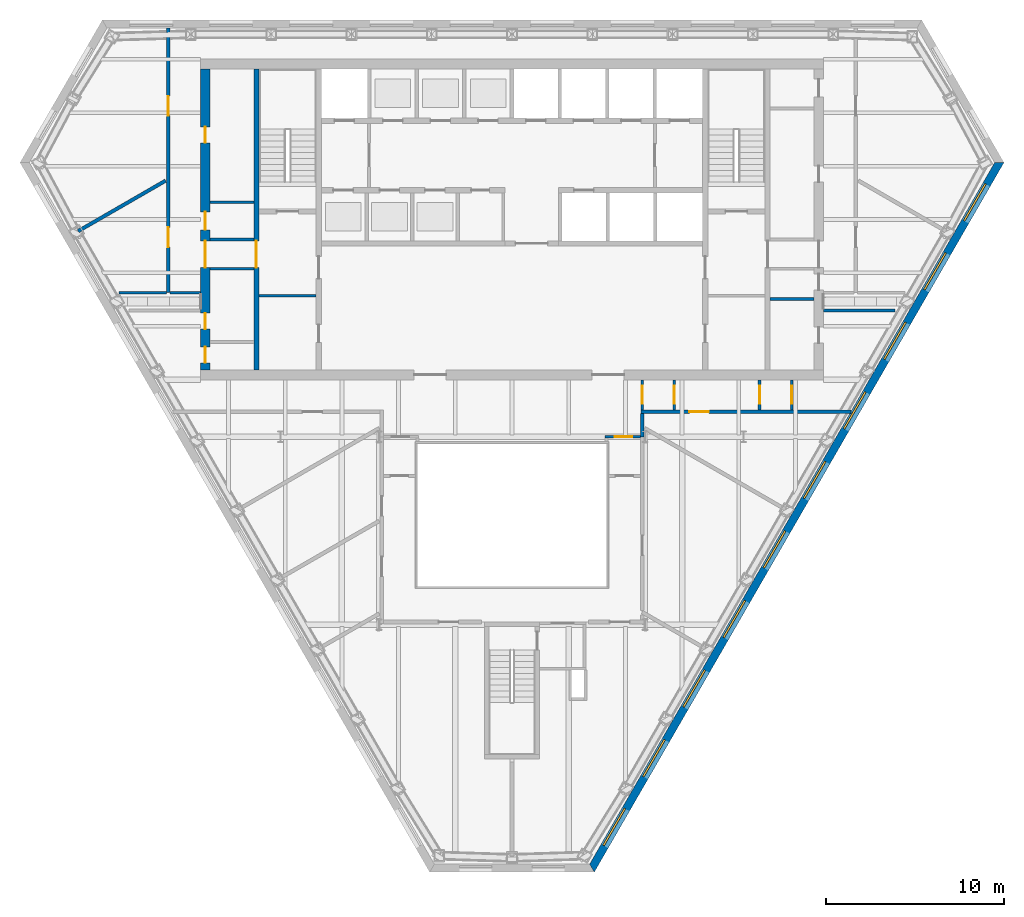
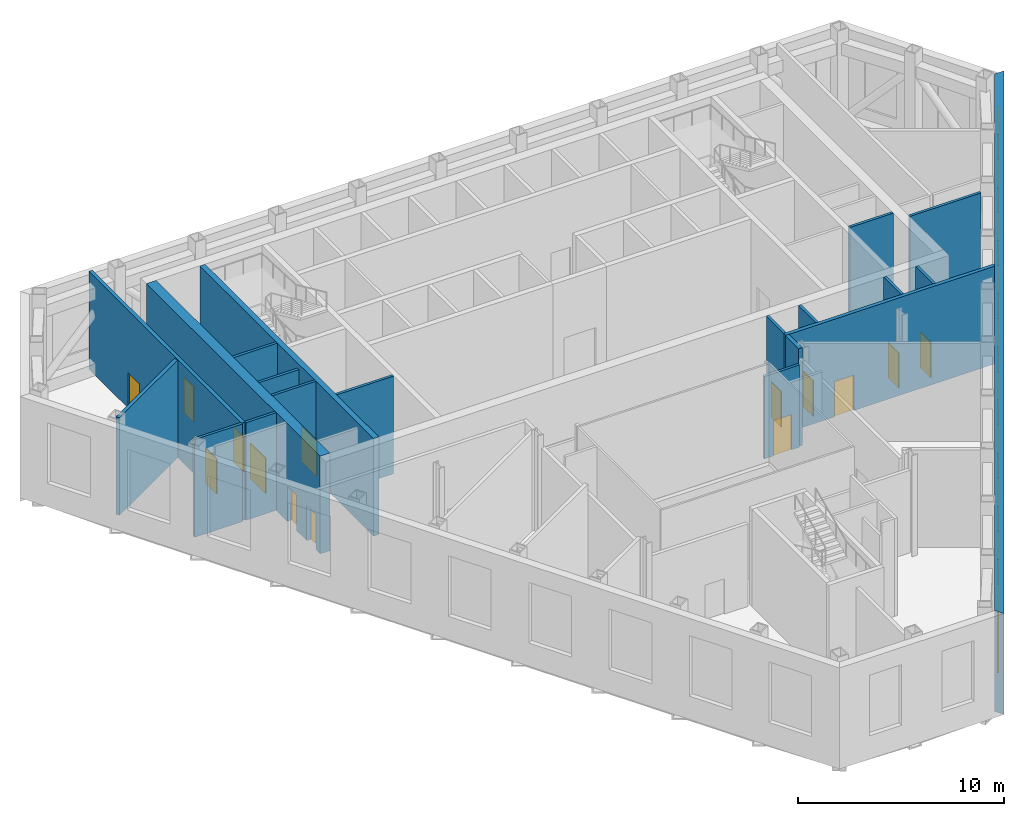
# One storey, part 8 of 15: 20 walls, 14 doors, 10 shading devices, 24 openings.
"""IFC4 building model written with IfcOpenShell, lengths in metres."""

from ifc_helpers import new_model, si_unit, direction, frame, frame_2d, origin, place, context, subcontext, project, spatial, polyline, rectangle, outline, extrude, material, layer, layer_set, type_object, element, fill, save


model = new_model("IFC4")

# Units and contexts
model_context = context("Model", 3, precision=1e-05, world=origin(), true_north=direction((0.0, 1.0)))
body_context = subcontext(model_context, "Body", "Model", "MODEL_VIEW")
ifc_project = project(units=[si_unit("LENGTHUNIT", "METRE"), si_unit("AREAUNIT", "SQUARE_METRE"), si_unit("VOLUMEUNIT", "CUBIC_METRE"), si_unit("PLANEANGLEUNIT", "RADIAN"), si_unit("MASSUNIT", "GRAM", prefix="KILO")], contexts=[model_context])

# Site, building, storey
site_placement = place(None, origin())
site = spatial("IfcSite", under=ifc_project, at=site_placement, CompositionType="ELEMENT")
building_placement = place(site_placement, origin())
building = spatial("IfcBuilding", under=site, at=building_placement, Name="Njiva Tower", CompositionType="ELEMENT")
storey_placement = place(building_placement, frame((0.0, 0.0, 133.8)))
storey = spatial("IfcBuildingStorey", under=building, at=storey_placement, Name="L28", CompositionType="ELEMENT", Elevation=133.8)

# Walls
ifc_material_1 = material(Name="Blockwork", Category="masonry")
ifc_layer_1 = layer(ifc_material_1, 0.15)
ifc_layer_set_1 = layer_set([ifc_layer_1], Name="Blockwork")
wall_type_1 = type_object("IfcWallType", Name="WT1 Compartment partition 150", PredefinedType="PARTITIONING", material=ifc_layer_set_1)
wall_1_placement = place(storey_placement, frame((-14.2, 4.725, 0.0), z_axis=(0.0, 0.0, 1.0), x_axis=(1.0, 0.0, 0.0)))
element("IfcWall", 1, at=wall_1_placement, inside=storey, type_object=wall_type_1, Name="Room wall A", PredefinedType="PARTITIONING", context=body_context, shape_type="SweptSolid", body=[
    extrude(rectangle(XDim=3.2, YDim=0.15, at=frame_2d((1.6, 0.0))), origin(), (0.0, 0.0, 1.0), 5.8),
])
wall_2_placement = place(storey_placement, frame((-16.95, 9.9679, 0.0), z_axis=(0.0, 0.0, 1.0), x_axis=(1.0, 0.0, 0.0)))
element("IfcWall", 2, at=wall_2_placement, inside=storey, type_object=wall_type_1, Name="Partition strip W10", PredefinedType="PARTITIONING", context=body_context, shape_type="SweptSolid", body=[
    extrude(rectangle(XDim=2.45, YDim=0.15, at=frame_2d((1.225, 0.0))), origin(), (0.0, 0.0, 1.0), 5.8),
])

# Wall, opening, door
ifc_material_2 = material(Name="Concrete C40/50", Category="concrete")
ifc_layer_2 = layer(ifc_material_2, 0.3)
ifc_layer_set_2 = layer_set([ifc_layer_2], Name="Concrete C40/50")
wall_type_2 = type_object("IfcWallType", Name="WT10 Stair enclosure wall 300", PredefinedType="SHEAR", material=ifc_layer_set_2)
wall_3_placement = place(storey_placement, frame((-14.35, 0.55, 0.0), z_axis=(0.0, 0.0, 1.0), x_axis=(0.0, 1.0, 0.0)))
wall_3 = element("IfcWall", 3, at=wall_3_placement, inside=storey, type_object=wall_type_2, Name="Stair wall west outer", PredefinedType="SHEAR", context=body_context, shape_type="SweptSolid", body=[
    extrude(rectangle(XDim=16.9, YDim=0.3, at=frame_2d((8.45, 0.0))), origin(), (0.0, 0.0, 1.0), 5.8),
])
opening_1_placement = place(wall_3_placement, frame((5.75, 0.0, 0.0)))
opening_1 = element("IfcOpeningElement", 4, at=opening_1_placement, cuts=wall_3, Name="Opening T2-D922", PredefinedType="OPENING", context=body_context, shape_type="SweptSolid", body=[
    extrude(rectangle(XDim=1.5, YDim=2.1, at=frame_2d((0.75, 1.05))), frame((0.0, 0.16, 0.0), z_axis=(0.0, -1.0, 0.0), x_axis=(1.0, 0.0, 0.0)), (0.0, 0.0, 1.0), 0.32),
])
ifc_material_3 = material(Name="Glazed steel fire door", Category="steel")
door_type_1 = type_object("IfcDoorType", Name="D10 Exit door double 1500x2100 glazed", OperationType="DOUBLE_DOOR_SINGLE_SWING", PredefinedType="DOOR", material=ifc_material_3)
door_1_placement = place(opening_1_placement, origin())
door_1 = element("IfcDoor", 5, at=door_1_placement, inside=storey, type_object=door_type_1, Name="Stair A passage door", OperationType="DOUBLE_DOOR_SINGLE_SWING", OverallHeight=2.1, OverallWidth=1.5, PredefinedType="DOOR", context=body_context, shape_type="SweptSolid", body=[
    extrude(rectangle(XDim=1.5, YDim=2.1, at=frame_2d((0.75, 1.05))), frame((0.0, 0.025, 0.0), z_axis=(0.0, -1.0, 0.0), x_axis=(1.0, 0.0, 0.0)), (0.0, 0.0, 1.0), 0.05),
])
fill(opening_1, door_1)

# Wall, openings, doors
ifc_material_4 = material(Name="Concrete C60/75", Category="concrete")
ifc_layer_3 = layer(ifc_material_4, 0.55)
ifc_layer_set_3 = layer_set([ifc_layer_3], Name="Concrete C60/75")
wall_type_3 = type_object("IfcWallType", Name="WT14 Core wall 550", PredefinedType="SHEAR", material=ifc_layer_set_3)
wall_4_placement = place(storey_placement, frame((-17.225, 0.55, 0.0), z_axis=(0.0, 0.0, 1.0), x_axis=(0.0, 1.0, 0.0)))
wall_4 = element("IfcWall", 6, at=wall_4_placement, inside=storey, type_object=wall_type_3, Name="Core wall west", PredefinedType="SHEAR", context=body_context, shape_type="SweptSolid", body=[
    extrude(rectangle(XDim=16.9, YDim=0.55, at=frame_2d((8.45, 0.0))), origin(), (0.0, 0.0, 1.0), 5.8),
])
opening_2_placement = place(wall_4_placement, frame((5.75, 0.0, 0.0)))
opening_2 = element("IfcOpeningElement", 7, at=opening_2_placement, cuts=wall_4, Name="Opening T2-D923", PredefinedType="OPENING", context=body_context, shape_type="SweptSolid", body=[
    extrude(rectangle(XDim=1.5, YDim=2.1, at=frame_2d((0.75, 1.05))), frame((0.0, 0.285, 0.0), z_axis=(0.0, -1.0, 0.0), x_axis=(1.0, 0.0, 0.0)), (0.0, 0.0, 1.0), 0.57),
])
opening_3_placement = place(wall_4_placement, frame((0.4, 0.0, 0.0)))
opening_3 = element("IfcOpeningElement", 8, at=opening_3_placement, cuts=wall_4, Name="Opening T2-D924", PredefinedType="OPENING", context=body_context, shape_type="SweptSolid", body=[
    extrude(rectangle(XDim=0.9, YDim=2.1, at=frame_2d((0.45, 1.05))), frame((0.0, 0.285, 0.0), z_axis=(0.0, -1.0, 0.0), x_axis=(1.0, 0.0, 0.0)), (0.0, 0.0, 1.0), 0.57),
])
opening_4_placement = place(wall_4_placement, frame((2.2888, 0.0, 0.0)))
opening_4 = element("IfcOpeningElement", 9, at=opening_4_placement, cuts=wall_4, Name="Opening T2-D925", PredefinedType="OPENING", context=body_context, shape_type="SweptSolid", body=[
    extrude(rectangle(XDim=0.9, YDim=2.1, at=frame_2d((0.45, 1.05))), frame((0.0, 0.285, 0.0), z_axis=(0.0, -1.0, 0.0), x_axis=(1.0, 0.0, 0.0)), (0.0, 0.0, 1.0), 0.57),
])
opening_5_placement = place(wall_4_placement, frame((7.8714, 0.0, 0.0)))
opening_5 = element("IfcOpeningElement", 10, at=opening_5_placement, cuts=wall_4, Name="Opening T2-D926", PredefinedType="OPENING", context=body_context, shape_type="SweptSolid", body=[
    extrude(rectangle(XDim=1.0, YDim=2.1, at=frame_2d((0.5, 1.05))), frame((0.0, 0.285, 0.0), z_axis=(0.0, -1.0, 0.0), x_axis=(1.0, 0.0, 0.0)), (0.0, 0.0, 1.0), 0.57),
])
opening_6_placement = place(wall_4_placement, frame((12.7464, 0.0, 0.0)))
opening_6 = element("IfcOpeningElement", 11, at=opening_6_placement, cuts=wall_4, Name="Opening T2-D927", PredefinedType="OPENING", context=body_context, shape_type="SweptSolid", body=[
    extrude(rectangle(XDim=0.9, YDim=2.1, at=frame_2d((0.45, 1.05))), frame((0.0, 0.285, 0.0), z_axis=(0.0, -1.0, 0.0), x_axis=(1.0, 0.0, 0.0)), (0.0, 0.0, 1.0), 0.57),
])
door_2_placement = place(opening_2_placement, origin())
door_2 = element("IfcDoor", 12, at=door_2_placement, inside=storey, type_object=door_type_1, Name="Stair A corridor door", OperationType="DOUBLE_DOOR_SINGLE_SWING", OverallHeight=2.1, OverallWidth=1.5, PredefinedType="DOOR", context=body_context, shape_type="SweptSolid", body=[
    extrude(rectangle(XDim=1.5, YDim=2.1, at=frame_2d((0.75, 1.05))), frame((0.0, 0.025, 0.0), z_axis=(0.0, -1.0, 0.0), x_axis=(1.0, 0.0, 0.0)), (0.0, 0.0, 1.0), 0.05),
])
fill(opening_2, door_2)
ifc_material_5 = material(Name="Steel door, painted", Category="steel")
door_type_2 = type_object("IfcDoorType", Name="D4 Riser door 900x2100", OperationType="SINGLE_SWING_LEFT", PredefinedType="DOOR", material=ifc_material_5)
door_3_placement = place(opening_3_placement, origin())
door_3 = element("IfcDoor", 13, at=door_3_placement, inside=storey, type_object=door_type_2, Name="Mechanical riser door", OperationType="SINGLE_SWING_RIGHT", OverallHeight=2.1, OverallWidth=0.9, PredefinedType="DOOR", context=body_context, shape_type="SweptSolid", body=[
    extrude(rectangle(XDim=0.9, YDim=2.1, at=frame_2d((0.45, 1.05))), frame((0.0, 0.025, 0.0), z_axis=(0.0, -1.0, 0.0), x_axis=(1.0, 0.0, 0.0)), (0.0, 0.0, 1.0), 0.05),
])
fill(opening_3, door_3)
door_type_3 = type_object("IfcDoorType", Name="D5 Steel door 1000x2100", OperationType="SINGLE_SWING_LEFT", PredefinedType="DOOR", material=ifc_material_5)
door_4_placement = place(opening_5_placement, origin())
door_4 = element("IfcDoor", 14, at=door_4_placement, inside=storey, type_object=door_type_3, Name="Electrical plant room door", OperationType="SINGLE_SWING_LEFT", OverallHeight=2.1, OverallWidth=1.0, PredefinedType="DOOR", context=body_context, shape_type="SweptSolid", body=[
    extrude(rectangle(XDim=1.0, YDim=2.1, at=frame_2d((0.5, 1.05))), frame((0.0, 0.025, 0.0), z_axis=(0.0, -1.0, 0.0), x_axis=(1.0, 0.0, 0.0)), (0.0, 0.0, 1.0), 0.05),
])
fill(opening_5, door_4)
ifc_material_6 = material(Name="Steel fire door, painted", Category="steel")
door_type_4 = type_object("IfcDoorType", Name="D6 Fire-rated door 900x2100", OperationType="SINGLE_SWING_LEFT", PredefinedType="DOOR", material=ifc_material_6)
door_5_placement = place(opening_4_placement, origin())
door_5 = element("IfcDoor", 15, at=door_5_placement, inside=storey, type_object=door_type_4, Name="Plant room door", OperationType="SINGLE_SWING_LEFT", OverallHeight=2.1, OverallWidth=0.9, PredefinedType="DOOR", context=body_context, shape_type="SweptSolid", body=[
    extrude(rectangle(XDim=0.9, YDim=2.1, at=frame_2d((0.45, 1.05))), frame((0.0, 0.025, 0.0), z_axis=(0.0, -1.0, 0.0), x_axis=(1.0, 0.0, 0.0)), (0.0, 0.0, 1.0), 0.05),
])
fill(opening_4, door_5)
door_6_placement = place(opening_6_placement, origin())
door_6 = element("IfcDoor", 16, at=door_6_placement, inside=storey, type_object=door_type_4, Name="Plant room door", OperationType="SINGLE_SWING_RIGHT", OverallHeight=2.1, OverallWidth=0.9, PredefinedType="DOOR", context=body_context, shape_type="SweptSolid", body=[
    extrude(rectangle(XDim=0.9, YDim=2.1, at=frame_2d((0.45, 1.05))), frame((0.0, 0.025, 0.0), z_axis=(0.0, -1.0, 0.0), x_axis=(1.0, 0.0, 0.0)), (0.0, 0.0, 1.0), 0.05),
])
fill(opening_6, door_6)

# Walls
ifc_material_7 = material(Name="Gypsum board on steel studs", Category="gypsum")
ifc_layer_4 = layer(ifc_material_7, 0.15)
ifc_layer_set_4 = layer_set([ifc_layer_4], Name="Gypsum board on steel studs")
wall_type_4 = type_object("IfcWallType", Name="WT21 Compartment wall 150", PredefinedType="PARTITIONING", material=ifc_layer_set_4)
wall_5_placement = place(storey_placement, frame((-22.077, 4.889, 0.0), z_axis=(0.0, 0.0, 1.0), x_axis=(1.0, 0.0, 0.0)))
element("IfcWall", 17, at=wall_5_placement, inside=storey, type_object=wall_type_4, Name="Partition T2-P002", PredefinedType="PARTITIONING", context=body_context, shape_type="SweptSolid", body=[
    extrude(rectangle(XDim=2.677, YDim=0.15, at=frame_2d((1.3385, 0.0))), origin(), (0.0, 0.0, 1.0), 5.8),
])
wall_6_placement = place(storey_placement, frame((-19.2, 4.889, 0.0), z_axis=(0.0, 0.0, 1.0), x_axis=(1.0, 0.0, 0.0)))
element("IfcWall", 18, at=wall_6_placement, inside=storey, type_object=wall_type_4, Name="Partition T2-P005", PredefinedType="PARTITIONING", context=body_context, shape_type="SweptSolid", body=[
    extrude(rectangle(XDim=1.7, YDim=0.15, at=frame_2d((0.85, 0.0))), origin(), (0.0, 0.0, 1.0), 5.8),
])

# Wall, opening, door
wall_7_placement = place(storey_placement, frame((5.235, -3.2, 0.0), z_axis=(0.0, 0.0, 1.0), x_axis=(1.0, 0.0, 0.0)))
wall_7 = element("IfcWall", 19, at=wall_7_placement, inside=storey, type_object=wall_type_4, Name="Partition T2-P017", PredefinedType="PARTITIONING", context=body_context, shape_type="SweptSolid", body=[
    extrude(rectangle(XDim=1.975, YDim=0.15, at=frame_2d((0.9875, 0.0))), origin(), (0.0, 0.0, 1.0), 4.89),
])
opening_7_placement = place(wall_7_placement, frame((0.526, 0.0, 0.0)))
opening_7 = element("IfcOpeningElement", 20, at=opening_7_placement, cuts=wall_7, Name="Opening T2-D010", PredefinedType="OPENING", context=body_context, shape_type="SweptSolid", body=[
    extrude(rectangle(XDim=1.0, YDim=2.1, at=frame_2d((0.5, 1.05))), frame((0.0, 0.085, 0.0), z_axis=(0.0, -1.0, 0.0), x_axis=(1.0, 0.0, 0.0)), (0.0, 0.0, 1.0), 0.17),
])
ifc_material_8 = material(Name="Steel fire door set", Category="steel")
door_type_5 = type_object("IfcDoorType", Name="D37 Fire door 1000x2100", OperationType="SINGLE_SWING_LEFT", PredefinedType="DOOR", material=ifc_material_8)
door_7_placement = place(opening_7_placement, origin())
door_7 = element("IfcDoor", 21, at=door_7_placement, inside=storey, type_object=door_type_5, Name="Door T2-D010", OperationType="SINGLE_SWING_LEFT", OverallHeight=2.1, OverallWidth=1.0, PredefinedType="DOOR", context=body_context, shape_type="SweptSolid", body=[
    extrude(rectangle(XDim=1.0, YDim=2.1, at=frame_2d((0.5, 1.05))), frame((0.0, 0.025, 0.0), z_axis=(0.0, -1.0, 0.0), x_axis=(1.0, 0.0, 0.0)), (0.0, 0.0, 1.0), 0.05),
])
fill(opening_7, door_7)

wall_8_placement = place(storey_placement, frame((7.31, -1.699, 0.0), z_axis=(0.0, 0.0, 1.0), x_axis=(0.0, 1.0, 0.0)))
wall_8 = element("IfcWall", 22, at=wall_8_placement, inside=storey, type_object=wall_type_4, Name="Partition T2-P024", PredefinedType="PARTITIONING", context=body_context, shape_type="SweptSolid", body=[
    extrude(rectangle(XDim=1.698, YDim=0.15, at=frame_2d((0.849, 0.0))), origin(), (0.0, 0.0, 1.0), 5.8),
])
opening_8_placement = place(wall_8_placement, frame((0.349, 0.0, 0.0)))
opening_8 = element("IfcOpeningElement", 23, at=opening_8_placement, cuts=wall_8, Name="Opening T2-D014", PredefinedType="OPENING", context=body_context, shape_type="SweptSolid", body=[
    extrude(rectangle(XDim=1.0, YDim=2.1, at=frame_2d((0.5, 1.05))), frame((0.0, 0.085, 0.0), z_axis=(0.0, -1.0, 0.0), x_axis=(1.0, 0.0, 0.0)), (0.0, 0.0, 1.0), 0.17),
])
door_8_placement = place(opening_8_placement, origin())
door_8 = element("IfcDoor", 24, at=door_8_placement, inside=storey, type_object=door_type_5, Name="Door T2-D014", OperationType="SINGLE_SWING_LEFT", OverallHeight=2.1, OverallWidth=1.0, PredefinedType="DOOR", context=body_context, shape_type="SweptSolid", body=[
    extrude(rectangle(XDim=1.0, YDim=2.1, at=frame_2d((0.5, 1.05))), frame((0.0, 0.025, 0.0), z_axis=(0.0, -1.0, 0.0), x_axis=(1.0, 0.0, 0.0)), (0.0, 0.0, 1.0), 0.05),
])
fill(opening_8, door_8)

wall_9_placement = place(storey_placement, frame((9.11, -1.699, 0.0), z_axis=(0.0, 0.0, 1.0), x_axis=(0.0, 1.0, 0.0)))
wall_9 = element("IfcWall", 25, at=wall_9_placement, inside=storey, type_object=wall_type_4, Name="Partition T2-P026", PredefinedType="PARTITIONING", context=body_context, shape_type="SweptSolid", body=[
    extrude(rectangle(XDim=1.698, YDim=0.15, at=frame_2d((0.849, 0.0))), origin(), (0.0, 0.0, 1.0), 5.8),
])
opening_9_placement = place(wall_9_placement, frame((0.349, 0.0, 0.0)))
opening_9 = element("IfcOpeningElement", 26, at=opening_9_placement, cuts=wall_9, Name="Opening T2-D015", PredefinedType="OPENING", context=body_context, shape_type="SweptSolid", body=[
    extrude(rectangle(XDim=1.0, YDim=2.1, at=frame_2d((0.5, 1.05))), frame((0.0, 0.085, 0.0), z_axis=(0.0, -1.0, 0.0), x_axis=(1.0, 0.0, 0.0)), (0.0, 0.0, 1.0), 0.17),
])
door_9_placement = place(opening_9_placement, origin())
door_9 = element("IfcDoor", 27, at=door_9_placement, inside=storey, type_object=door_type_5, Name="Door T2-D015", OperationType="SINGLE_SWING_LEFT", OverallHeight=2.1, OverallWidth=1.0, PredefinedType="DOOR", context=body_context, shape_type="SweptSolid", body=[
    extrude(rectangle(XDim=1.0, YDim=2.1, at=frame_2d((0.5, 1.05))), frame((0.0, 0.025, 0.0), z_axis=(0.0, -1.0, 0.0), x_axis=(1.0, 0.0, 0.0)), (0.0, 0.0, 1.0), 0.05),
])
fill(opening_9, door_9)

wall_10_placement = place(storey_placement, frame((13.9, -1.7, 0.0), z_axis=(0.0, 0.0, 1.0), x_axis=(0.0, 1.0, 0.0)))
wall_10 = element("IfcWall", 28, at=wall_10_placement, inside=storey, type_object=wall_type_4, Name="Partition T2-P027", PredefinedType="PARTITIONING", context=body_context, shape_type="SweptSolid", body=[
    extrude(rectangle(XDim=1.7, YDim=0.15, at=frame_2d((0.85, 0.0))), origin(), (0.0, 0.0, 1.0), 5.8),
])
opening_10_placement = place(wall_10_placement, frame((0.35, 0.0, 0.0)))
opening_10 = element("IfcOpeningElement", 29, at=opening_10_placement, cuts=wall_10, Name="Opening T2-D016", PredefinedType="OPENING", context=body_context, shape_type="SweptSolid", body=[
    extrude(rectangle(XDim=1.0, YDim=2.1, at=frame_2d((0.5, 1.05))), frame((0.0, 0.085, 0.0), z_axis=(0.0, -1.0, 0.0), x_axis=(1.0, 0.0, 0.0)), (0.0, 0.0, 1.0), 0.17),
])
door_10_placement = place(opening_10_placement, origin())
door_10 = element("IfcDoor", 30, at=door_10_placement, inside=storey, type_object=door_type_5, Name="Door T2-D016", OperationType="SINGLE_SWING_RIGHT", OverallHeight=2.1, OverallWidth=1.0, PredefinedType="DOOR", context=body_context, shape_type="SweptSolid", body=[
    extrude(rectangle(XDim=1.0, YDim=2.1, at=frame_2d((0.5, 1.05))), frame((0.0, 0.025, 0.0), z_axis=(0.0, -1.0, 0.0), x_axis=(1.0, 0.0, 0.0)), (0.0, 0.0, 1.0), 0.05),
])
fill(opening_10, door_10)

wall_11_placement = place(storey_placement, frame((15.7, -1.7, 0.0), z_axis=(0.0, 0.0, 1.0), x_axis=(0.0, 1.0, 0.0)))
wall_11 = element("IfcWall", 31, at=wall_11_placement, inside=storey, type_object=wall_type_4, Name="Partition T2-P028", PredefinedType="PARTITIONING", context=body_context, shape_type="SweptSolid", body=[
    extrude(rectangle(XDim=1.7, YDim=0.15, at=frame_2d((0.85, 0.0))), origin(), (0.0, 0.0, 1.0), 5.8),
])
opening_11_placement = place(wall_11_placement, frame((0.35, 0.0, 0.0)))
opening_11 = element("IfcOpeningElement", 32, at=opening_11_placement, cuts=wall_11, Name="Opening T2-D017", PredefinedType="OPENING", context=body_context, shape_type="SweptSolid", body=[
    extrude(rectangle(XDim=1.0, YDim=2.1, at=frame_2d((0.5, 1.05))), frame((0.0, 0.085, 0.0), z_axis=(0.0, -1.0, 0.0), x_axis=(1.0, 0.0, 0.0)), (0.0, 0.0, 1.0), 0.17),
])
door_11_placement = place(opening_11_placement, origin())
door_11 = element("IfcDoor", 33, at=door_11_placement, inside=storey, type_object=door_type_5, Name="Door T2-D017", OperationType="SINGLE_SWING_LEFT", OverallHeight=2.1, OverallWidth=1.0, PredefinedType="DOOR", context=body_context, shape_type="SweptSolid", body=[
    extrude(rectangle(XDim=1.0, YDim=2.1, at=frame_2d((0.5, 1.05))), frame((0.0, 0.025, 0.0), z_axis=(0.0, -1.0, 0.0), x_axis=(1.0, 0.0, 0.0)), (0.0, 0.0, 1.0), 0.05),
])
fill(opening_11, door_11)

# Walls
wall_12_placement = place(storey_placement, frame((17.5, 3.889, 0.0), z_axis=(0.0, 0.0, 1.0), x_axis=(1.0, 0.0, 0.0)))
element("IfcWall", 34, at=wall_12_placement, inside=storey, type_object=wall_type_4, Name="Partition T2-P029", PredefinedType="PARTITIONING", context=body_context, shape_type="SweptSolid", body=[
    extrude(rectangle(XDim=4.0, YDim=0.15, at=frame_2d((2.0, 0.0))), origin(), (0.0, 0.0, 1.0), 5.8),
])
ifc_layer_5 = layer(ifc_material_1, 0.2)
ifc_layer_set_5 = layer_set([ifc_layer_5], Name="Blockwork")
wall_type_5 = type_object("IfcWallType", Name="WT22 Plant room wall 200", PredefinedType="PARTITIONING", material=ifc_layer_set_5)
wall_13_placement = place(storey_placement, frame((-24.361, 8.344, 0.0), z_axis=(0.0, 0.0, 1.0), x_axis=(0.866129793638, 0.499819147866, 0.0)))
element("IfcWall", 35, at=wall_13_placement, inside=storey, type_object=wall_type_5, Name="Partition T2-P001", PredefinedType="PARTITIONING", context=body_context, shape_type="SweptSolid", body=[
    extrude(rectangle(XDim=5.6701, YDim=0.2, at=frame_2d((2.835, 0.0))), origin(), (0.0, 0.0, 1.0), 5.8),
])

# Wall, openings, doors
wall_14_placement = place(storey_placement, frame((-19.3, 4.889, 0.0), z_axis=(0.0, 0.0, 1.0), x_axis=(0.0, 1.0, 0.0)))
wall_14 = element("IfcWall", 36, at=wall_14_placement, inside=storey, type_object=wall_type_5, Name="Partition T2-P004", PredefinedType="PARTITIONING", context=body_context, shape_type="SweptSolid", body=[
    extrude(rectangle(XDim=14.861, YDim=0.2, at=frame_2d((7.4305, 0.0))), origin(), (0.0, 0.0, 1.0), 5.8),
])
opening_12_placement = place(wall_14_placement, frame((2.563, 0.0, 0.0)))
opening_12 = element("IfcOpeningElement", 37, at=opening_12_placement, cuts=wall_14, Name="Opening T2-D001", PredefinedType="OPENING", context=body_context, shape_type="SweptSolid", body=[
    extrude(rectangle(XDim=1.1, YDim=2.1, at=frame_2d((0.55, 1.05))), frame((0.0, 0.11, 0.0), z_axis=(0.0, -1.0, 0.0), x_axis=(1.0, 0.0, 0.0)), (0.0, 0.0, 1.0), 0.22),
])
opening_13_placement = place(wall_14_placement, frame((9.941, 0.0, 0.0)))
opening_13 = element("IfcOpeningElement", 38, at=opening_13_placement, cuts=wall_14, Name="Opening T2-D002", PredefinedType="OPENING", context=body_context, shape_type="SweptSolid", body=[
    extrude(rectangle(XDim=1.1, YDim=2.1, at=frame_2d((0.55, 1.05))), frame((0.0, 0.11, 0.0), z_axis=(0.0, -1.0, 0.0), x_axis=(1.0, 0.0, 0.0)), (0.0, 0.0, 1.0), 0.22),
])
ifc_material_9 = material(Name="Steel door set", Category="steel")
door_type_6 = type_object("IfcDoorType", Name="D34 Plant door 1100x2100", OperationType="SINGLE_SWING_LEFT", PredefinedType="DOOR", material=ifc_material_9)
door_12_placement = place(opening_12_placement, origin())
door_12 = element("IfcDoor", 39, at=door_12_placement, inside=storey, type_object=door_type_6, Name="Door T2-D001", OperationType="SINGLE_SWING_RIGHT", OverallHeight=2.1, OverallWidth=1.1, PredefinedType="DOOR", context=body_context, shape_type="SweptSolid", body=[
    extrude(rectangle(XDim=1.1, YDim=2.1, at=frame_2d((0.55, 1.05))), frame((0.0, 0.025, 0.0), z_axis=(0.0, -1.0, 0.0), x_axis=(1.0, 0.0, 0.0)), (0.0, 0.0, 1.0), 0.05),
])
fill(opening_12, door_12)
door_13_placement = place(opening_13_placement, origin())
door_13 = element("IfcDoor", 40, at=door_13_placement, inside=storey, type_object=door_type_6, Name="Door T2-D002", OperationType="SINGLE_SWING_LEFT", OverallHeight=2.1, OverallWidth=1.1, PredefinedType="DOOR", context=body_context, shape_type="SweptSolid", body=[
    extrude(rectangle(XDim=1.1, YDim=2.1, at=frame_2d((0.55, 1.05))), frame((0.0, 0.025, 0.0), z_axis=(0.0, -1.0, 0.0), x_axis=(1.0, 0.0, 0.0)), (0.0, 0.0, 1.0), 0.05),
])
fill(opening_13, door_13)

# Wall, opening, door
wall_15_placement = place(storey_placement, frame((7.235, -1.799, 0.0), z_axis=(0.0, 0.0, 1.0), x_axis=(0.999999996402, -8.4832032e-05, 0.0)))
wall_15 = element("IfcWall", 41, at=wall_15_placement, inside=storey, type_object=wall_type_5, Name="Partition T2-P020", PredefinedType="PARTITIONING", context=body_context, shape_type="SweptSolid", body=[
    extrude(rectangle(XDim=11.788, YDim=0.2, at=frame_2d((5.894, 0.0))), origin(), (0.0, 0.0, 1.0), 5.8),
])
opening_14_placement = place(wall_15_placement, frame((2.726, 0.0, 0.0)))
opening_14 = element("IfcOpeningElement", 42, at=opening_14_placement, cuts=wall_15, Name="Opening T2-D012", PredefinedType="OPENING", context=body_context, shape_type="SweptSolid", body=[
    extrude(rectangle(XDim=1.1, YDim=2.1, at=frame_2d((0.55, 1.05))), frame((0.0, 0.11, 0.0), z_axis=(0.0, -1.0, 0.0), x_axis=(1.0, 0.0, 0.0)), (0.0, 0.0, 1.0), 0.22),
])
door_14_placement = place(opening_14_placement, origin())
door_14 = element("IfcDoor", 43, at=door_14_placement, inside=storey, type_object=door_type_6, Name="Door T2-D012", OperationType="SINGLE_SWING_LEFT", OverallHeight=2.1, OverallWidth=1.1, PredefinedType="DOOR", context=body_context, shape_type="SweptSolid", body=[
    extrude(rectangle(XDim=1.1, YDim=2.1, at=frame_2d((0.55, 1.05))), frame((0.0, 0.025, 0.0), z_axis=(0.0, -1.0, 0.0), x_axis=(1.0, 0.0, 0.0)), (0.0, 0.0, 1.0), 0.05),
])
fill(opening_14, door_14)

# Walls
wall_16_placement = place(storey_placement, frame((7.31, -3.2, 0.0), z_axis=(0.0, 0.0, 1.0), x_axis=(0.0, 1.0, 0.0)))
element("IfcWall", 44, at=wall_16_placement, inside=storey, type_object=wall_type_5, Name="Partition T2-P023A", PredefinedType="PARTITIONING", context=body_context, shape_type="SweptSolid", body=[
    extrude(rectangle(XDim=1.301, YDim=0.2, at=frame_2d((0.6505, 0.0))), origin(), (0.0, 0.0, 1.0), 5.8),
])
ifc_layer_6 = layer(ifc_material_1, 0.15)
ifc_layer_set_6 = layer_set([ifc_layer_6], Name="Blockwork")
wall_type_6 = type_object("IfcWallType", Name="WT3 Riser partition 150", PredefinedType="PARTITIONING", material=ifc_layer_set_6)
wall_17_placement = place(storey_placement, frame((14.5, 4.5378, 0.0), z_axis=(0.0, 0.0, 1.0), x_axis=(1.0, 0.0, 0.0)))
element("IfcWall", 45, at=wall_17_placement, inside=storey, type_object=wall_type_6, Name="Partition strip E00", PredefinedType="PARTITIONING", context=body_context, shape_type="SweptSolid", body=[
    extrude(rectangle(XDim=2.45, YDim=0.15, at=frame_2d((1.225, 0.0))), origin(), (0.0, 0.0, 1.0), 5.8),
])
ifc_layer_7 = layer(ifc_material_1, 0.15)
ifc_layer_set_7 = layer_set([ifc_layer_7], Name="Blockwork")
wall_type_7 = type_object("IfcWallType", Name="WT4 Stair partition 150", PredefinedType="PARTITIONING", material=ifc_layer_set_7)
wall_18_placement = place(storey_placement, frame((-16.95, 6.225, 0.0), z_axis=(0.0, 0.0, 1.0), x_axis=(1.0, 0.0, 0.0)))
element("IfcWall", 46, at=wall_18_placement, inside=storey, type_object=wall_type_7, Name="Stair A exit passage wall south", PredefinedType="PARTITIONING", context=body_context, shape_type="SweptSolid", body=[
    extrude(rectangle(XDim=2.45, YDim=0.15, at=frame_2d((1.225, 0.0))), origin(), (0.0, 0.0, 1.0), 5.8),
])
wall_19_placement = place(storey_placement, frame((-16.95, 7.875, 0.0), z_axis=(0.0, 0.0, 1.0), x_axis=(1.0, 0.0, 0.0)))
element("IfcWall", 47, at=wall_19_placement, inside=storey, type_object=wall_type_7, Name="Stair A exit passage wall north", PredefinedType="PARTITIONING", context=body_context, shape_type="SweptSolid", body=[
    extrude(rectangle(XDim=2.45, YDim=0.15, at=frame_2d((1.225, 0.0))), origin(), (0.0, 0.0, 1.0), 5.5),
])

# Wall, openings, shading devices
ifc_material_10 = material(Name="Brick masonry, buff", Category="masonry")
ifc_layer_8 = layer(ifc_material_10, 0.45)
ifc_layer_set_8 = layer_set([ifc_layer_8], Name="Brick masonry, buff")
wall_type_8 = type_object("IfcWallType", Name="WT94 Brick pier and spandrel wall 450, buff", PredefinedType="SOLIDWALL", material=ifc_layer_set_8)
wall_20_placement = place(storey_placement, frame((4.4901, -27.4229, -0.18), z_axis=(0.0, 0.0, 1.0), x_axis=(0.500000335318, 0.866025210188, 0.0)))
wall_20 = element("IfcWall", 48, at=wall_20_placement, inside=storey, type_object=wall_type_8, Name="Facade wall SE", PredefinedType="SOLIDWALL", context=body_context, shape_type="SweptSolid", body=[
    extrude(outline(polyline([(-0.1299, -0.225), (45.8801, -0.225), (45.6203, 0.225), (0.1299, 0.225), (-0.1299, -0.225)])), origin(), (0.0, 0.0, 1.0), 6.0),
])
opening_15_placement = place(wall_20_placement, frame((1.4247, 0.0, 1.38)))
opening_15 = element("IfcOpeningElement", 49, at=opening_15_placement, cuts=wall_20, Name="Opening T2-LV25", PredefinedType="OPENING", context=body_context, shape_type="SweptSolid", body=[
    extrude(rectangle(XDim=2.4, YDim=3.6, at=frame_2d((1.2, 1.8))), frame((0.0, 0.235, 0.0), z_axis=(0.0, -1.0, 0.0), x_axis=(1.0, 0.0, 0.0)), (0.0, 0.0, 1.0), 0.47),
])
opening_16_placement = place(wall_20_placement, frame((5.8949, 0.0, 1.38)))
opening_16 = element("IfcOpeningElement", 50, at=opening_16_placement, cuts=wall_20, Name="Opening T2-LV26", PredefinedType="OPENING", context=body_context, shape_type="SweptSolid", body=[
    extrude(rectangle(XDim=2.4, YDim=3.6, at=frame_2d((1.2, 1.8))), frame((0.0, 0.235, 0.0), z_axis=(0.0, -1.0, 0.0), x_axis=(1.0, 0.0, 0.0)), (0.0, 0.0, 1.0), 0.47),
])
opening_17_placement = place(wall_20_placement, frame((10.4035, 0.0, 1.38)))
opening_17 = element("IfcOpeningElement", 51, at=opening_17_placement, cuts=wall_20, Name="Opening T2-LV27", PredefinedType="OPENING", context=body_context, shape_type="SweptSolid", body=[
    extrude(rectangle(XDim=2.4, YDim=3.6, at=frame_2d((1.2, 1.8))), frame((0.0, 0.235, 0.0), z_axis=(0.0, -1.0, 0.0), x_axis=(1.0, 0.0, 0.0)), (0.0, 0.0, 1.0), 0.47),
])
opening_18_placement = place(wall_20_placement, frame((14.9122, 0.0, 1.38)))
opening_18 = element("IfcOpeningElement", 52, at=opening_18_placement, cuts=wall_20, Name="Opening T2-LV28", PredefinedType="OPENING", context=body_context, shape_type="SweptSolid", body=[
    extrude(rectangle(XDim=2.4, YDim=3.6, at=frame_2d((1.2, 1.8))), frame((0.0, 0.235, 0.0), z_axis=(0.0, -1.0, 0.0), x_axis=(1.0, 0.0, 0.0)), (0.0, 0.0, 1.0), 0.47),
])
opening_19_placement = place(wall_20_placement, frame((19.4208, 0.0, 1.38)))
opening_19 = element("IfcOpeningElement", 53, at=opening_19_placement, cuts=wall_20, Name="Opening T2-LV29", PredefinedType="OPENING", context=body_context, shape_type="SweptSolid", body=[
    extrude(rectangle(XDim=2.4, YDim=3.6, at=frame_2d((1.2, 1.8))), frame((0.0, 0.235, 0.0), z_axis=(0.0, -1.0, 0.0), x_axis=(1.0, 0.0, 0.0)), (0.0, 0.0, 1.0), 0.47),
])
opening_20_placement = place(wall_20_placement, frame((23.9294, 0.0, 1.38)))
opening_20 = element("IfcOpeningElement", 54, at=opening_20_placement, cuts=wall_20, Name="Opening T2-LV30", PredefinedType="OPENING", context=body_context, shape_type="SweptSolid", body=[
    extrude(rectangle(XDim=2.4, YDim=3.6, at=frame_2d((1.2, 1.8))), frame((0.0, 0.235, 0.0), z_axis=(0.0, -1.0, 0.0), x_axis=(1.0, 0.0, 0.0)), (0.0, 0.0, 1.0), 0.47),
])
opening_21_placement = place(wall_20_placement, frame((28.438, 0.0, 1.38)))
opening_21 = element("IfcOpeningElement", 55, at=opening_21_placement, cuts=wall_20, Name="Opening T2-LV31", PredefinedType="OPENING", context=body_context, shape_type="SweptSolid", body=[
    extrude(rectangle(XDim=2.4, YDim=3.6, at=frame_2d((1.2, 1.8))), frame((0.0, 0.235, 0.0), z_axis=(0.0, -1.0, 0.0), x_axis=(1.0, 0.0, 0.0)), (0.0, 0.0, 1.0), 0.47),
])
opening_22_placement = place(wall_20_placement, frame((32.9466, 0.0, 1.38)))
opening_22 = element("IfcOpeningElement", 56, at=opening_22_placement, cuts=wall_20, Name="Opening T2-LV32", PredefinedType="OPENING", context=body_context, shape_type="SweptSolid", body=[
    extrude(rectangle(XDim=2.4, YDim=3.6, at=frame_2d((1.2, 1.8))), frame((0.0, 0.235, 0.0), z_axis=(0.0, -1.0, 0.0), x_axis=(1.0, 0.0, 0.0)), (0.0, 0.0, 1.0), 0.47),
])
opening_23_placement = place(wall_20_placement, frame((37.4553, 0.0, 1.38)))
opening_23 = element("IfcOpeningElement", 57, at=opening_23_placement, cuts=wall_20, Name="Opening T2-LV33", PredefinedType="OPENING", context=body_context, shape_type="SweptSolid", body=[
    extrude(rectangle(XDim=2.4, YDim=3.6, at=frame_2d((1.2, 1.8))), frame((0.0, 0.235, 0.0), z_axis=(0.0, -1.0, 0.0), x_axis=(1.0, 0.0, 0.0)), (0.0, 0.0, 1.0), 0.47),
])
opening_24_placement = place(wall_20_placement, frame((41.9255, 0.0, 1.38)))
opening_24 = element("IfcOpeningElement", 58, at=opening_24_placement, cuts=wall_20, Name="Opening T2-LV34", PredefinedType="OPENING", context=body_context, shape_type="SweptSolid", body=[
    extrude(rectangle(XDim=2.4, YDim=3.6, at=frame_2d((1.2, 1.8))), frame((0.0, 0.235, 0.0), z_axis=(0.0, -1.0, 0.0), x_axis=(1.0, 0.0, 0.0)), (0.0, 0.0, 1.0), 0.47),
])
ifc_material_11 = material(Name="Aluminium louvre blades", Category="aluminium")
shading_device_type = type_object("IfcShadingDeviceType", Name="LV1 Plant louvre 2400x3600", PredefinedType="JALOUSIE", material=ifc_material_11)
shading_device_1_placement = place(opening_15_placement, origin())
shading_device_1 = element("IfcShadingDevice", 59, at=shading_device_1_placement, inside=storey, type_object=shading_device_type, Name="Plant louvre", PredefinedType="JALOUSIE", context=body_context, shape_type="SweptSolid", body=[
    extrude(rectangle(XDim=2.4, YDim=3.6, at=frame_2d((1.2, 1.8))), frame((0.0, 0.125, 0.0), z_axis=(0.0, -1.0, 0.0), x_axis=(1.0, 0.0, 0.0)), (0.0, 0.0, 1.0), 0.1),
])
fill(opening_15, shading_device_1)
shading_device_2_placement = place(opening_16_placement, origin())
shading_device_2 = element("IfcShadingDevice", 60, at=shading_device_2_placement, inside=storey, type_object=shading_device_type, Name="Plant louvre", PredefinedType="JALOUSIE", context=body_context, shape_type="SweptSolid", body=[
    extrude(rectangle(XDim=2.4, YDim=3.6, at=frame_2d((1.2, 1.8))), frame((0.0, 0.125, 0.0), z_axis=(0.0, -1.0, 0.0), x_axis=(1.0, 0.0, 0.0)), (0.0, 0.0, 1.0), 0.1),
])
fill(opening_16, shading_device_2)
shading_device_3_placement = place(opening_17_placement, origin())
shading_device_3 = element("IfcShadingDevice", 61, at=shading_device_3_placement, inside=storey, type_object=shading_device_type, Name="Plant louvre", PredefinedType="JALOUSIE", context=body_context, shape_type="SweptSolid", body=[
    extrude(rectangle(XDim=2.4, YDim=3.6, at=frame_2d((1.2, 1.8))), frame((0.0, 0.125, 0.0), z_axis=(0.0, -1.0, 0.0), x_axis=(1.0, 0.0, 0.0)), (0.0, 0.0, 1.0), 0.1),
])
fill(opening_17, shading_device_3)
shading_device_4_placement = place(opening_18_placement, origin())
shading_device_4 = element("IfcShadingDevice", 62, at=shading_device_4_placement, inside=storey, type_object=shading_device_type, Name="Plant louvre", PredefinedType="JALOUSIE", context=body_context, shape_type="SweptSolid", body=[
    extrude(rectangle(XDim=2.4, YDim=3.6, at=frame_2d((1.2, 1.8))), frame((0.0, 0.125, 0.0), z_axis=(0.0, -1.0, 0.0), x_axis=(1.0, 0.0, 0.0)), (0.0, 0.0, 1.0), 0.1),
])
fill(opening_18, shading_device_4)
shading_device_5_placement = place(opening_19_placement, origin())
shading_device_5 = element("IfcShadingDevice", 63, at=shading_device_5_placement, inside=storey, type_object=shading_device_type, Name="Plant louvre", PredefinedType="JALOUSIE", context=body_context, shape_type="SweptSolid", body=[
    extrude(rectangle(XDim=2.4, YDim=3.6, at=frame_2d((1.2, 1.8))), frame((0.0, 0.125, 0.0), z_axis=(0.0, -1.0, 0.0), x_axis=(1.0, 0.0, 0.0)), (0.0, 0.0, 1.0), 0.1),
])
fill(opening_19, shading_device_5)
shading_device_6_placement = place(opening_20_placement, origin())
shading_device_6 = element("IfcShadingDevice", 64, at=shading_device_6_placement, inside=storey, type_object=shading_device_type, Name="Plant louvre", PredefinedType="JALOUSIE", context=body_context, shape_type="SweptSolid", body=[
    extrude(rectangle(XDim=2.4, YDim=3.6, at=frame_2d((1.2, 1.8))), frame((0.0, 0.125, 0.0), z_axis=(0.0, -1.0, 0.0), x_axis=(1.0, 0.0, 0.0)), (0.0, 0.0, 1.0), 0.1),
])
fill(opening_20, shading_device_6)
shading_device_7_placement = place(opening_21_placement, origin())
shading_device_7 = element("IfcShadingDevice", 65, at=shading_device_7_placement, inside=storey, type_object=shading_device_type, Name="Plant louvre", PredefinedType="JALOUSIE", context=body_context, shape_type="SweptSolid", body=[
    extrude(rectangle(XDim=2.4, YDim=3.6, at=frame_2d((1.2, 1.8))), frame((0.0, 0.125, 0.0), z_axis=(0.0, -1.0, 0.0), x_axis=(1.0, 0.0, 0.0)), (0.0, 0.0, 1.0), 0.1),
])
fill(opening_21, shading_device_7)
shading_device_8_placement = place(opening_22_placement, origin())
shading_device_8 = element("IfcShadingDevice", 66, at=shading_device_8_placement, inside=storey, type_object=shading_device_type, Name="Plant louvre", PredefinedType="JALOUSIE", context=body_context, shape_type="SweptSolid", body=[
    extrude(rectangle(XDim=2.4, YDim=3.6, at=frame_2d((1.2, 1.8))), frame((0.0, 0.125, 0.0), z_axis=(0.0, -1.0, 0.0), x_axis=(1.0, 0.0, 0.0)), (0.0, 0.0, 1.0), 0.1),
])
fill(opening_22, shading_device_8)
shading_device_9_placement = place(opening_23_placement, origin())
shading_device_9 = element("IfcShadingDevice", 67, at=shading_device_9_placement, inside=storey, type_object=shading_device_type, Name="Plant louvre", PredefinedType="JALOUSIE", context=body_context, shape_type="SweptSolid", body=[
    extrude(rectangle(XDim=2.4, YDim=3.6, at=frame_2d((1.2, 1.8))), frame((0.0, 0.125, 0.0), z_axis=(0.0, -1.0, 0.0), x_axis=(1.0, 0.0, 0.0)), (0.0, 0.0, 1.0), 0.1),
])
fill(opening_23, shading_device_9)
shading_device_10_placement = place(opening_24_placement, origin())
shading_device_10 = element("IfcShadingDevice", 68, at=shading_device_10_placement, inside=storey, type_object=shading_device_type, Name="Plant louvre", PredefinedType="JALOUSIE", context=body_context, shape_type="SweptSolid", body=[
    extrude(rectangle(XDim=2.4, YDim=3.6, at=frame_2d((1.2, 1.8))), frame((0.0, 0.125, 0.0), z_axis=(0.0, -1.0, 0.0), x_axis=(1.0, 0.0, 0.0)), (0.0, 0.0, 1.0), 0.1),
])
fill(opening_24, shading_device_10)

save(model, "model.ifc")
